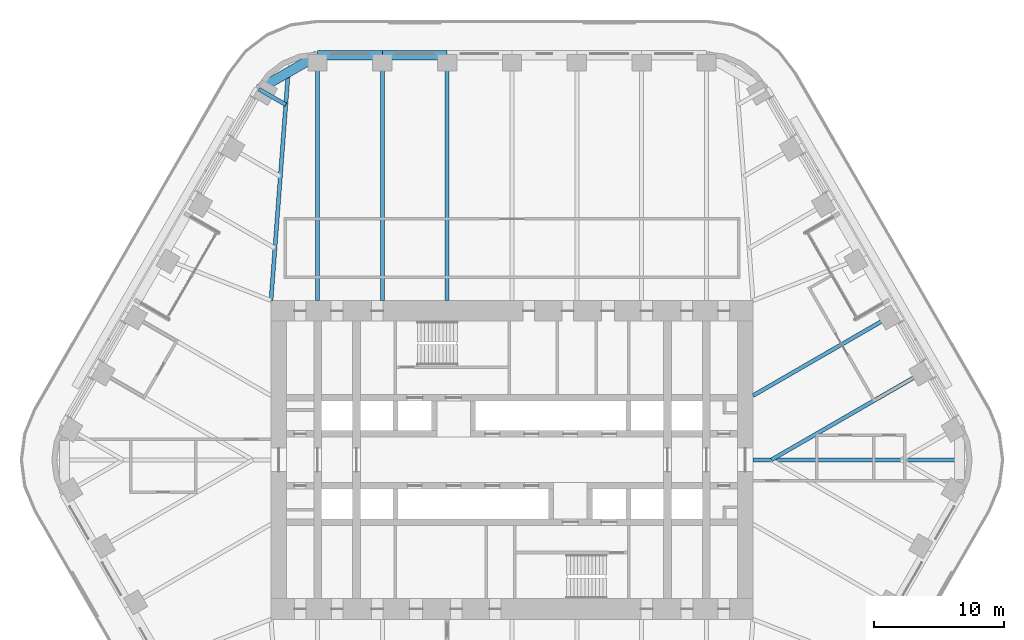
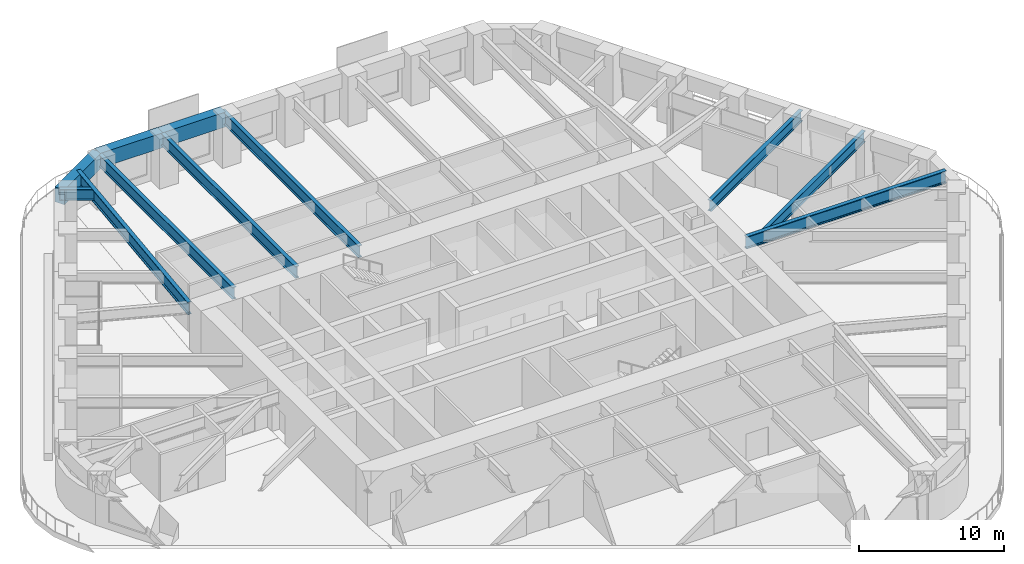
# One storey, part 10 of 24: 11 beams.
"""IFC4 building model written with IfcOpenShell, lengths in metres."""

from ifc_helpers import new_model, si_unit, direction, frame, origin, origin_2d, place, context, subcontext, project, spatial, rectangle, i_section, extrude, material, material_profile, profile_set, type_object, element, save


model = new_model("IFC4")

# Units and contexts
model_context = context("Model", 3, precision=1e-05, world=origin(), true_north=direction((0.0, 1.0)))
body_context = subcontext(model_context, "Body", "Model", "MODEL_VIEW")
ifc_project = project(units=[si_unit("LENGTHUNIT", "METRE"), si_unit("AREAUNIT", "SQUARE_METRE"), si_unit("VOLUMEUNIT", "CUBIC_METRE"), si_unit("PLANEANGLEUNIT", "RADIAN"), si_unit("MASSUNIT", "GRAM", prefix="KILO")], contexts=[model_context])

# Site, building, storey
site_placement = place(None, origin())
site = spatial("IfcSite", under=ifc_project, at=site_placement, CompositionType="ELEMENT")
building_placement = place(site_placement, origin())
building = spatial("IfcBuilding", under=site, at=building_placement, Name="Tarfa Lantern Tower", CompositionType="ELEMENT")
storey_placement = place(building_placement, frame((0.0, 0.0, 182.5)))
storey = spatial("IfcBuildingStorey", under=building, at=storey_placement, Name="L41", CompositionType="ELEMENT", Elevation=182.5)

# Beams
ifc_material_1 = material(Name="Concrete C80/95", Category="concrete")
ifc_material_profile_1 = material_profile(ifc_material_1, rectangle(XDim=0.75, YDim=1.25, at=origin_2d()), Name="RC 750x1250")
ifc_profile_set_1 = profile_set([ifc_material_profile_1], Name="Concrete C80/95")
beam_type_1 = type_object("IfcBeamType", Name="EB2 RC 750x1250", PredefinedType="SPANDREL", material=ifc_profile_set_1)
for number, where, z_axis, x_axis, name in (
    (1, (-5.003662109375, 31.219970703125, 3.375), (-1.0, 0.0, 0.0), (0.0, -1.0, 0.0), "Edge beam N4"),
    (2, (-10.00732421875, 31.219970703125, 3.375), (-1.0, 0.0, 0.0), (0.0, -1.0, 0.0), "Edge beam N5"),
):
    element("IfcBeam", number, at=place(storey_placement, frame(where, z_axis=z_axis, x_axis=x_axis)), inside=storey, type_object=beam_type_1, Name=name, PredefinedType="SPANDREL", context=body_context, shape_type="SweptSolid", body=[
        extrude(rectangle(XDim=0.75, YDim=1.25, at=origin_2d()), origin(), (0.0, 0.0, 1.0), 5.003662109375),
    ])
beam_1_placement = place(storey_placement, frame((-15.010986328125, 31.219970703125, 3.375), z_axis=(-0.86604150238, -0.499972115377, 0.0), x_axis=(0.499972115377, -0.86604150238, 0.0)))
element("IfcBeam", 3, at=beam_1_placement, inside=storey, type_object=beam_type_1, Name="Edge beam N6", PredefinedType="SPANDREL", context=body_context, shape_type="SweptSolid", body=[
    extrude(rectangle(XDim=0.75, YDim=1.25, at=origin_2d()), origin(), (0.0, 0.0, 1.0), 5.219970703125),
])
ifc_material_2 = material(Name="Steel S460M", Category="steel")
ifc_material_profile_2 = material_profile(ifc_material_2, i_section(OverallWidth=0.302001953125, OverallDepth=1.008056640625, WebThickness=0.02099609375, FlangeThickness=0.0400390625, FilletRadius=0.030029296875, at=origin_2d()), Name="UB1016x305x349")
ifc_profile_set_2 = profile_set([ifc_material_profile_2], Name="Steel S460M")
beam_type_2 = type_object("IfcBeamType", Name="UB1016x305x349", PredefinedType="BEAM", material=ifc_profile_set_2)
for number, where, z_axis, x_axis, name in (
    (4, (-5.003662109375, 31.219970703125, 3.495849609375), (0.0, -1.0, 0.0), (1.0, 0.0, 0.0), "Floor beam N4"),
    (5, (-10.00732421875, 31.219970703125, 3.495849609375), (0.0, -1.0, 0.0), (1.0, 0.0, 0.0), "Floor beam N5"),
    (6, (-15.010986328125, 31.219970703125, 3.495849609375), (0.0, -1.0, 0.0), (1.0, 0.0, 0.0), "Floor beam N6"),
):
    element("IfcBeam", number, at=place(storey_placement, frame(where, z_axis=z_axis, x_axis=x_axis)), inside=storey, type_object=beam_type_2, Name=name, PredefinedType="BEAM", context=body_context, shape_type="SweptSolid", body=[
        extrude(i_section(OverallWidth=0.302001953125, OverallDepth=1.008056640625, WebThickness=0.02099609375, FlangeThickness=0.0400390625, FilletRadius=0.030029296875, at=origin_2d()), origin(), (0.0, 0.0, 1.0), 18.919921875),
    ])
ifc_material_profile_3 = material_profile(ifc_material_2, i_section(OverallWidth=0.30859375, OverallDepth=1.036376953125, WebThickness=0.030029296875, FlangeThickness=0.05419921875, FilletRadius=0.030029296875, at=origin_2d()), Name="UB1016x305x487")
ifc_profile_set_3 = profile_set([ifc_material_profile_3], Name="Steel S460M")
beam_type_3 = type_object("IfcBeamType", Name="UB1016x305x487", PredefinedType="BEAM", material=ifc_profile_set_3)
beam_2_placement = place(storey_placement, frame((18.60009765625, 0.0, 3.48193359375), z_axis=(1.0, 0.0, 0.0), x_axis=(0.0, 1.0, 0.0)))
element("IfcBeam", 7, at=beam_2_placement, inside=storey, type_object=beam_type_3, Name="Hip girder E", PredefinedType="BEAM", context=body_context, shape_type="SweptSolid", body=[
    extrude(i_section(OverallWidth=0.30859375, OverallDepth=1.036376953125, WebThickness=0.030029296875, FlangeThickness=0.05419921875, FilletRadius=0.030029296875, at=origin_2d()), origin(), (0.0, 0.0, 1.0), 15.94287109375),
])
beam_3_placement = place(storey_placement, frame((-18.60009765625, 12.300048828125, 3.48193359375), z_axis=(0.075211516041, 0.99716760269, 0.0), x_axis=(-0.99716760269, 0.075211516041, 0.0)))
element("IfcBeam", 8, at=beam_3_placement, inside=storey, type_object=beam_type_3, Name="Hip girder NW", PredefinedType="BEAM", context=body_context, shape_type="SweptSolid", body=[
    extrude(i_section(OverallWidth=0.30859375, OverallDepth=1.036376953125, WebThickness=0.030029296875, FlangeThickness=0.05419921875, FilletRadius=0.030029296875, at=origin_2d()), origin(), (0.0, 0.0, 1.0), 17.6650390625),
])
ifc_material_profile_4 = material_profile(ifc_material_2, i_section(OverallWidth=0.305419921875, OverallDepth=0.91845703125, WebThickness=0.017333984375, FlangeThickness=0.02783203125, FilletRadius=0.01904296875, at=origin_2d()), Name="UB914x305x253")
ifc_profile_set_4 = profile_set([ifc_material_profile_4], Name="Steel S460M")
beam_type_4 = type_object("IfcBeamType", Name="UB914x305x253", PredefinedType="BEAM", material=ifc_profile_set_4)
beam_4_placement = place(storey_placement, frame((32.041015625, 6.943359375, 3.540771484375), z_axis=(-0.866023096411, -0.500003996466, 0.0), x_axis=(0.500003996466, -0.866023096411, 0.0)))
element("IfcBeam", 9, at=beam_4_placement, inside=storey, type_object=beam_type_4, Name="Floor beam NE1", PredefinedType="BEAM", context=body_context, shape_type="SweptSolid", body=[
    extrude(i_section(OverallWidth=0.305419921875, OverallDepth=0.91845703125, WebThickness=0.017333984375, FlangeThickness=0.02783203125, FilletRadius=0.01904296875, at=origin_2d()), origin(), (0.0, 0.0, 1.0), 13.88671875),
])
beam_5_placement = place(storey_placement, frame((29.5390625, 11.276611328125, 3.540771484375), z_axis=(-0.866023362995, -0.500003534735, 0.0), x_axis=(0.500003534735, -0.866023362995, 0.0)))
element("IfcBeam", 10, at=beam_5_placement, inside=storey, type_object=beam_type_4, Name="Floor beam NE2", PredefinedType="BEAM", context=body_context, shape_type="SweptSolid", body=[
    extrude(i_section(OverallWidth=0.305419921875, OverallDepth=0.91845703125, WebThickness=0.017333984375, FlangeThickness=0.02783203125, FilletRadius=0.01904296875, at=origin_2d()), origin(), (0.0, 0.0, 1.0), 12.63134765625),
])
beam_6_placement = place(storey_placement, frame((-19.53173828125, 28.610107421875, 3.540771484375), z_axis=(0.865998640954, -0.500046351717, 0.0), x_axis=(0.500046351717, 0.865998640954, 0.0)))
element("IfcBeam", 11, at=beam_6_placement, inside=storey, type_object=beam_type_4, Name="Floor beam NW0", PredefinedType="BEAM", context=body_context, shape_type="SweptSolid", body=[
    extrude(i_section(OverallWidth=0.305419921875, OverallDepth=0.91845703125, WebThickness=0.017333984375, FlangeThickness=0.02783203125, FilletRadius=0.01904296875, at=origin_2d()), origin(), (0.0, 0.0, 1.0), 2.392333984375),
])

save(model, "model.ifc")
